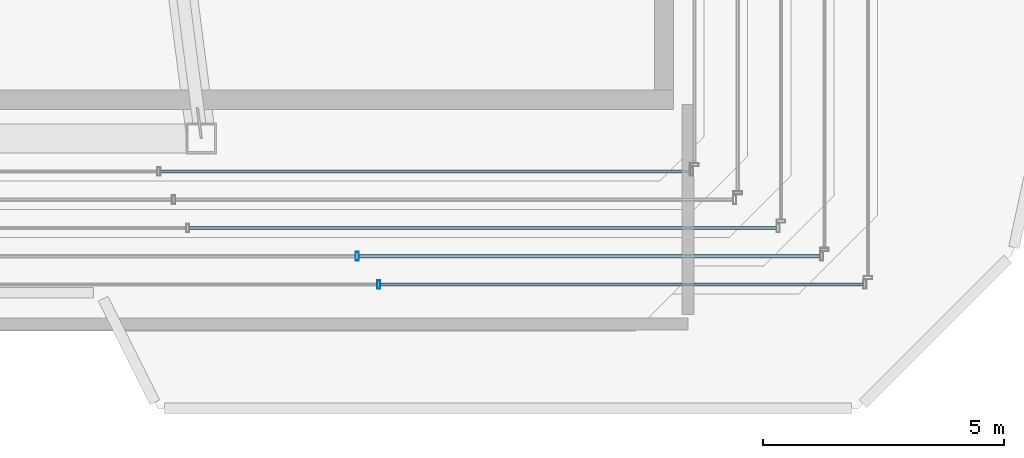
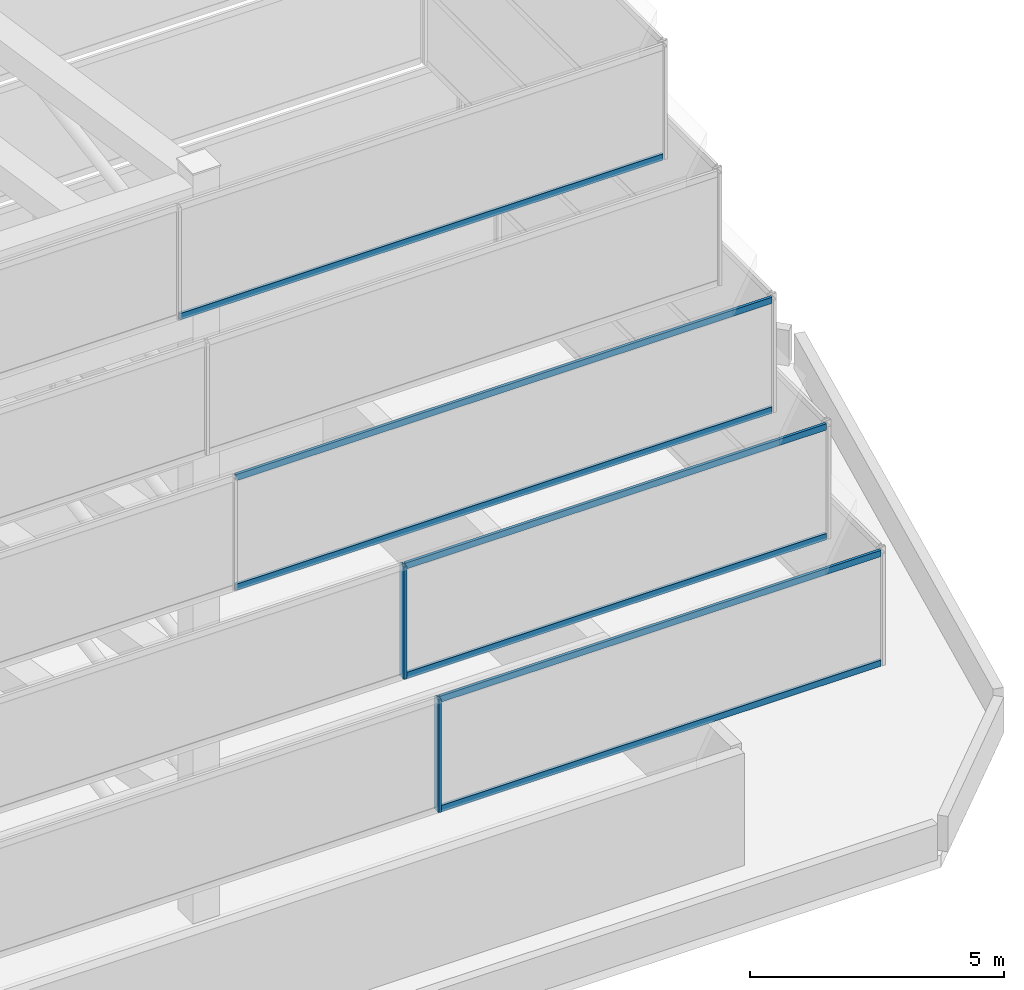
# One storey, part 20 of 29: 9 members, 4 elements without a shape of their own.
"""IFC4 building model written with IfcOpenShell, lengths in metres."""

from ifc_helpers import new_model, si_unit, direction, frame, origin, origin_2d, place, context, subcontext, project, spatial, hollow_rectangle, extrude, material, material_profile, profile_set, type_object, element, aggregate, save


model = new_model("IFC4")

# Units and contexts
model_context = context("Model", 3, precision=1e-05, world=origin(), true_north=direction((0.0, 1.0)))
body_context = subcontext(model_context, "Body", "Model", "MODEL_VIEW")
ifc_project = project(units=[si_unit("LENGTHUNIT", "METRE"), si_unit("AREAUNIT", "SQUARE_METRE"), si_unit("VOLUMEUNIT", "CUBIC_METRE"), si_unit("PLANEANGLEUNIT", "RADIAN"), si_unit("MASSUNIT", "GRAM", prefix="KILO")], contexts=[model_context])

# Site, building, storey
site_placement = place(None, origin())
site = spatial("IfcSite", under=ifc_project, at=site_placement, CompositionType="ELEMENT")
building_placement = place(site_placement, origin())
building = spatial("IfcBuilding", under=site, at=building_placement, Name="Saevonmaru Cultural Tower", CompositionType="ELEMENT")
storey_placement = place(building_placement, frame((0.0, 0.0, 327.60009765625)))
storey = spatial("IfcBuildingStorey", under=building, at=storey_placement, Name="RF", CompositionType="ELEMENT", Elevation=327.60009765625)

# Curtain wall, member
ifc_material = material(Name="Satin Bronze Anodised Aluminium", Category="aluminium")
curtain_wall_type = type_object("IfcCurtainWallType", Name="CW-TYP-B", PredefinedType="NOTDEFINED", material=ifc_material)
curtain_wall_1_placement = place(storey_placement, origin())
curtain_wall_1 = element("IfcCurtainWall", 1, at=curtain_wall_1_placement, inside=storey, type_object=curtain_wall_type, Name="RF Ziggurat Crown Tier 2 Bronze Louvre Screen 1", PredefinedType="NOTDEFINED")
ifc_material_profile_1 = material_profile(ifc_material, hollow_rectangle(XDim=0.06494140625, YDim=0.179931640625, WallThickness=0.00390625, at=origin_2d()), Name="ALU-MULL-180x65x4")
ifc_profile_set_1 = profile_set([ifc_material_profile_1], Name="Satin Bronze Anodised Aluminium")
member_type_1 = type_object("IfcMemberType", Name="ML-CW-180x65", PredefinedType="MULLION", material=ifc_profile_set_1)
member_1_placement = place(storey_placement, frame((40.08349609375, 39.3701171875, 3.0), z_axis=(0.0, 0.0, 1.0), x_axis=(1.0, 0.0, 0.0)))
member_1 = element("IfcMember", 2, at=member_1_placement, type_object=member_type_1, Name="CW-CROWN-T2-1 mullion 4", PredefinedType="MULLION", context=body_context, shape_type="SweptSolid", body=[
    extrude(hollow_rectangle(XDim=0.06494140625, YDim=0.179931640625, WallThickness=0.00390625, at=origin_2d()), origin(), (0.0, 0.0, 1.0), 2.699951171875),
])

curtain_wall_2_placement = place(storey_placement, origin())
curtain_wall_2 = element("IfcCurtainWall", 3, at=curtain_wall_2_placement, inside=storey, type_object=curtain_wall_type, Name="RF Ziggurat Crown Tier 3 Bronze Louvre Screen 1", PredefinedType="NOTDEFINED")
member_2_placement = place(storey_placement, frame((39.633544921875, 39.955078125, 6.0), z_axis=(0.0, 0.0, 1.0), x_axis=(1.0, 0.0, 0.0)))
member_2 = element("IfcMember", 4, at=member_2_placement, type_object=member_type_1, Name="CW-CROWN-T3-1 mullion 4", PredefinedType="MULLION", context=body_context, shape_type="SweptSolid", body=[
    extrude(hollow_rectangle(XDim=0.06494140625, YDim=0.179931640625, WallThickness=0.00390625, at=origin_2d()), origin(), (0.0, 0.0, 1.0), 2.699951171875),
])

# Member
ifc_material_profile_2 = material_profile(ifc_material, hollow_rectangle(XDim=0.06494140625, YDim=0.14990234375, WallThickness=0.00390625, at=origin_2d()), Name="ALU-TRAN-150x65x4")
ifc_profile_set_2 = profile_set([ifc_material_profile_2], Name="Satin Bronze Anodised Aluminium")
member_type_2 = type_object("IfcMemberType", Name="TR-CW-150x65", PredefinedType="USERDEFINED", material=ifc_profile_set_2)
member_3_placement = place(storey_placement, frame((40.115966796875, 39.3701171875, 3.032470703125), z_axis=(1.0, 0.0, 0.0), x_axis=(0.0, 1.0, 0.0)))
member_3 = element("IfcMember", 5, at=member_3_placement, type_object=member_type_2, Name="CW-CROWN-T2-1 transom 4.1", ObjectType="TRANSOM", PredefinedType="USERDEFINED", context=body_context, shape_type="SweptSolid", body=[
    extrude(hollow_rectangle(XDim=0.06494140625, YDim=0.14990234375, WallThickness=0.00390625, at=origin_2d()), origin(), (0.0, 0.0, 1.0), 10.0185546875),
])

member_4_placement = place(storey_placement, frame((40.115966796875, 39.3701171875, 5.66748046875), z_axis=(1.0, 0.0, 0.0), x_axis=(0.0, 1.0, 0.0)))
member_4 = element("IfcMember", 6, at=member_4_placement, type_object=member_type_2, Name="CW-CROWN-T2-1 transom 4.2", ObjectType="TRANSOM", PredefinedType="USERDEFINED", context=body_context, shape_type="SweptSolid", body=[
    extrude(hollow_rectangle(XDim=0.06494140625, YDim=0.14990234375, WallThickness=0.00390625, at=origin_2d()), origin(), (0.0, 0.0, 1.0), 10.0185546875),
])

aggregate(curtain_wall_1, [member_1, member_3, member_4])

member_5_placement = place(storey_placement, frame((39.666015625, 39.955078125, 6.032470703125), z_axis=(1.0, 0.0, 0.0), x_axis=(0.0, 1.0, 0.0)))
member_5 = element("IfcMember", 7, at=member_5_placement, type_object=member_type_2, Name="CW-CROWN-T3-1 transom 4.1", ObjectType="TRANSOM", PredefinedType="USERDEFINED", context=body_context, shape_type="SweptSolid", body=[
    extrude(hollow_rectangle(XDim=0.06494140625, YDim=0.14990234375, WallThickness=0.00390625, at=origin_2d()), origin(), (0.0, 0.0, 1.0), 9.568603515625),
])

member_6_placement = place(storey_placement, frame((39.666015625, 39.955078125, 8.66748046875), z_axis=(1.0, 0.0, 0.0), x_axis=(0.0, 1.0, 0.0)))
member_6 = element("IfcMember", 8, at=member_6_placement, type_object=member_type_2, Name="CW-CROWN-T3-1 transom 4.2", ObjectType="TRANSOM", PredefinedType="USERDEFINED", context=body_context, shape_type="SweptSolid", body=[
    extrude(hollow_rectangle(XDim=0.06494140625, YDim=0.14990234375, WallThickness=0.00390625, at=origin_2d()), origin(), (0.0, 0.0, 1.0), 9.568603515625),
])

aggregate(curtain_wall_2, [member_2, member_5, member_6])

# Curtain wall, members
curtain_wall_3_placement = place(storey_placement, origin())
curtain_wall_3 = element("IfcCurtainWall", 9, at=curtain_wall_3_placement, inside=storey, type_object=curtain_wall_type, Name="RF Ziggurat Crown Tier 4 Bronze Louvre Screen 1", PredefinedType="NOTDEFINED")
member_7_placement = place(storey_placement, frame((36.15478515625, 40.5400390625, 9.032470703125), z_axis=(1.0, 0.0, 0.0), x_axis=(0.0, 1.0, 0.0)))
member_7 = element("IfcMember", 10, at=member_7_placement, type_object=member_type_2, Name="CW-CROWN-T4-1 transom 3.1", ObjectType="TRANSOM", PredefinedType="USERDEFINED", context=body_context, shape_type="SweptSolid", body=[
    extrude(hollow_rectangle(XDim=0.06494140625, YDim=0.14990234375, WallThickness=0.00390625, at=origin_2d()), origin(), (0.0, 0.0, 1.0), 12.1796875),
])
member_8_placement = place(storey_placement, frame((36.15478515625, 40.5400390625, 11.66748046875), z_axis=(1.0, 0.0, 0.0), x_axis=(0.0, 1.0, 0.0)))
member_8 = element("IfcMember", 11, at=member_8_placement, type_object=member_type_2, Name="CW-CROWN-T4-1 transom 3.2", ObjectType="TRANSOM", PredefinedType="USERDEFINED", context=body_context, shape_type="SweptSolid", body=[
    extrude(hollow_rectangle(XDim=0.06494140625, YDim=0.14990234375, WallThickness=0.00390625, at=origin_2d()), origin(), (0.0, 0.0, 1.0), 12.1796875),
])
aggregate(curtain_wall_3, [member_7, member_8])

# Curtain wall, member
curtain_wall_4_placement = place(storey_placement, origin())
curtain_wall_4 = element("IfcCurtainWall", 12, at=curtain_wall_4_placement, inside=storey, type_object=curtain_wall_type, Name="RF Ziggurat Crown Tier 6 Bronze Louvre Screen 1", PredefinedType="NOTDEFINED")
member_9_placement = place(storey_placement, frame((35.554931640625, 41.7099609375, 15.032470703125), z_axis=(1.0, 0.0, 0.0), x_axis=(0.0, 1.0, 0.0)))
member_9 = element("IfcMember", 13, at=member_9_placement, type_object=member_type_2, Name="CW-CROWN-T6-1 transom 3.1", ObjectType="TRANSOM", PredefinedType="USERDEFINED", context=body_context, shape_type="SweptSolid", body=[
    extrude(hollow_rectangle(XDim=0.06494140625, YDim=0.14990234375, WallThickness=0.00390625, at=origin_2d()), origin(), (0.0, 0.0, 1.0), 10.9794921875),
])
aggregate(curtain_wall_4, [member_9])

save(model, "model.ifc")
